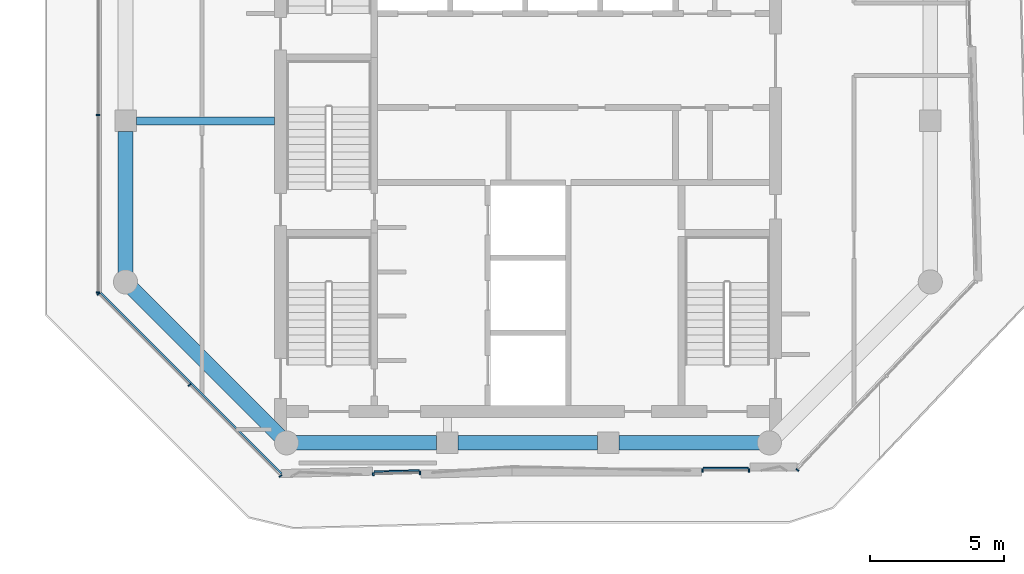
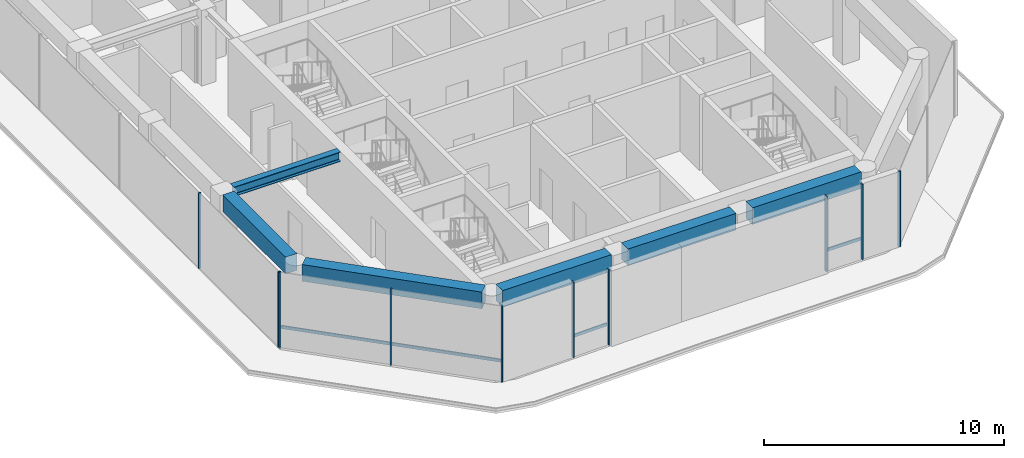
# One storey, part 2 of 20: 13 members, 6 beams, 5 elements without a shape of their own.
"""IFC4 building model written with IfcOpenShell, lengths in metres."""

from ifc_helpers import new_model, si_unit, direction, frame, origin, origin_2d, place, context, subcontext, project, spatial, rectangle, i_section, extrude, material, layer, layer_set, material_profile, profile_set, type_object, element, aggregate, save


model = new_model("IFC4")

# Units and contexts
model_context = context("Model", 3, precision=1e-05, world=origin(), true_north=direction((0.0, 1.0)))
body_context = subcontext(model_context, "Body", "Model", "MODEL_VIEW")
ifc_project = project(units=[si_unit("LENGTHUNIT", "METRE"), si_unit("AREAUNIT", "SQUARE_METRE"), si_unit("VOLUMEUNIT", "CUBIC_METRE"), si_unit("PLANEANGLEUNIT", "RADIAN"), si_unit("MASSUNIT", "GRAM", prefix="KILO")], contexts=[model_context])

# Site, building, storey
site_placement = place(None, origin())
site = spatial("IfcSite", under=ifc_project, at=site_placement, CompositionType="ELEMENT")
building_placement = place(site_placement, origin())
building = spatial("IfcBuilding", under=site, at=building_placement, Name="Welwitschia Terrace Campus", CompositionType="ELEMENT")
storey_placement = place(building_placement, frame((0.0, 0.0, 222.199951171875)))
storey = spatial("IfcBuildingStorey", under=building, at=storey_placement, Name="L49", CompositionType="ELEMENT", Elevation=222.199951171875)

# Curtain wall, members
ifc_material_1 = material(Name="Bronze anodised aluminium", Category="aluminium")
ifc_layer = layer(ifc_material_1, 0.1201171875)
ifc_layer_set = layer_set([ifc_layer], Name="Bronze anodised aluminium")
curtain_wall_type = type_object("IfcCurtainWallType", Name="Curtain wall CW2 tower 6000", PredefinedType="NOTDEFINED", material=ifc_layer_set)
curtain_wall_1_placement = place(storey_placement, origin())
curtain_wall_1 = element("IfcCurtainWall", 1, at=curtain_wall_1_placement, inside=storey, type_object=curtain_wall_type, Name="CW L49.0.0", PredefinedType="NOTDEFINED")
ifc_material_2 = material(Name="Bronze anodised aluminium", Category="aluminium")
ifc_material_profile_1 = material_profile(ifc_material_2, rectangle(XDim=0.1201171875, YDim=0.06005859375, at=origin_2d()))
ifc_profile_set_1 = profile_set([ifc_material_profile_1], Name="Bronze anodised aluminium")
member_type_1 = type_object("IfcMemberType", Name="Mullion 60x120", PredefinedType="MULLION", material=ifc_profile_set_1)
member_1_placement = place(storey_placement, frame((-1.030029296875, 16.22802734375, 0.0), z_axis=(0.0, 0.0, 1.0), x_axis=(1.0, 0.0, 0.0)))
member_1 = element("IfcMember", 2, at=member_1_placement, type_object=member_type_1, Name="Mullion L49.0.0.3", PredefinedType="MULLION", context=body_context, shape_type="SweptSolid", body=[
    extrude(rectangle(XDim=0.1201171875, YDim=0.06005859375, at=origin_2d()), origin(), (0.0, 0.0, 1.0), 3.85009765625),
])
member_2_placement = place(storey_placement, frame((-1.030029296875, 9.603271484375, 0.0), z_axis=(0.0, 0.0, 1.0), x_axis=(1.0, 0.0, 0.0)))
member_2 = element("IfcMember", 3, at=member_2_placement, type_object=member_type_1, Name="Mullion L49.0.0.4", PredefinedType="MULLION", context=body_context, shape_type="SweptSolid", body=[
    extrude(rectangle(XDim=0.1201171875, YDim=0.06005859375, at=origin_2d()), origin(), (0.0, 0.0, 1.0), 3.85009765625),
])
aggregate(curtain_wall_1, [member_1, member_2])

curtain_wall_2_placement = place(storey_placement, origin())
curtain_wall_2 = element("IfcCurtainWall", 4, at=curtain_wall_2_placement, inside=storey, type_object=curtain_wall_type, Name="CW L49.1.0", PredefinedType="NOTDEFINED")
member_3_placement = place(storey_placement, frame((-1.0087890625, 9.55224609375, 0.0), z_axis=(0.0, 0.0, 1.0), x_axis=(0.707106781187, 0.707106781187, 0.0)))
member_3 = element("IfcMember", 5, at=member_3_placement, type_object=member_type_1, Name="Mullion L49.1.0.0", PredefinedType="MULLION", context=body_context, shape_type="SweptSolid", body=[
    extrude(rectangle(XDim=0.1201171875, YDim=0.06005859375, at=origin_2d()), origin(), (0.0, 0.0, 1.0), 3.85009765625),
])
member_4_placement = place(storey_placement, frame((2.384521484375, 6.158935546875, 0.0), z_axis=(0.0, 0.0, 1.0), x_axis=(0.707106781187, 0.707106781187, 0.0)))
member_4 = element("IfcMember", 6, at=member_4_placement, type_object=member_type_1, Name="Mullion L49.1.0.1", PredefinedType="MULLION", context=body_context, shape_type="SweptSolid", body=[
    extrude(rectangle(XDim=0.1201171875, YDim=0.06005859375, at=origin_2d()), origin(), (0.0, 0.0, 1.0), 3.85009765625),
])
member_5_placement = place(storey_placement, frame((5.777587890625, 2.765625, 0.0), z_axis=(0.0, 0.0, 1.0), x_axis=(0.707106781187, 0.707106781187, 0.0)))
member_5 = element("IfcMember", 7, at=member_5_placement, type_object=member_type_1, Name="Mullion L49.1.0.2", PredefinedType="MULLION", context=body_context, shape_type="SweptSolid", body=[
    extrude(rectangle(XDim=0.1201171875, YDim=0.06005859375, at=origin_2d()), origin(), (0.0, 0.0, 1.0), 3.85009765625),
])

curtain_wall_3_placement = place(storey_placement, origin())
curtain_wall_3 = element("IfcCurtainWall", 8, at=curtain_wall_3_placement, inside=storey, type_object=curtain_wall_type, Name="CW L49.2.S0", PredefinedType="NOTDEFINED")
member_6_placement = place(storey_placement, frame((9.23486328125, 2.83447265625, 0.0), z_axis=(0.0, 0.0, 1.0), x_axis=(-0.026176948308, 0.999657324976, 0.0)))
member_6 = element("IfcMember", 9, at=member_6_placement, type_object=member_type_1, Name="Mullion L49.2.S0.0", PredefinedType="MULLION", context=body_context, shape_type="SweptSolid", body=[
    extrude(rectangle(XDim=0.1201171875, YDim=0.06005859375, at=origin_2d()), origin(), (0.0, 0.0, 1.0), 3.85009765625),
])
member_7_placement = place(storey_placement, frame((10.974365234375, 2.880126953125, 0.0), z_axis=(0.0, 0.0, 1.0), x_axis=(-0.026176948308, 0.999657324976, 0.0)))
member_7 = element("IfcMember", 10, at=member_7_placement, type_object=member_type_1, Name="Mullion L49.2.S0.1", PredefinedType="MULLION", context=body_context, shape_type="SweptSolid", body=[
    extrude(rectangle(XDim=0.1201171875, YDim=0.06005859375, at=origin_2d()), origin(), (0.0, 0.0, 1.0), 3.85009765625),
])

curtain_wall_4_placement = place(storey_placement, origin())
curtain_wall_4 = element("IfcCurtainWall", 11, at=curtain_wall_4_placement, inside=storey, type_object=curtain_wall_type, Name="CW L49.3.S0", PredefinedType="NOTDEFINED")
member_8_placement = place(storey_placement, frame((21.503173828125, 2.969970703125, 0.0), z_axis=(0.0, 0.0, 1.0), x_axis=(0.0, 1.0, 0.0)))
member_8 = element("IfcMember", 12, at=member_8_placement, type_object=member_type_1, Name="Mullion L49.3.S0.0", PredefinedType="MULLION", context=body_context, shape_type="SweptSolid", body=[
    extrude(rectangle(XDim=0.1201171875, YDim=0.06005859375, at=origin_2d()), origin(), (0.0, 0.0, 1.0), 3.85009765625),
])
member_9_placement = place(storey_placement, frame((23.2431640625, 2.969970703125, 0.0), z_axis=(0.0, 0.0, 1.0), x_axis=(0.0, 1.0, 0.0)))
member_9 = element("IfcMember", 13, at=member_9_placement, type_object=member_type_1, Name="Mullion L49.3.S0.1", PredefinedType="MULLION", context=body_context, shape_type="SweptSolid", body=[
    extrude(rectangle(XDim=0.1201171875, YDim=0.06005859375, at=origin_2d()), origin(), (0.0, 0.0, 1.0), 3.85009765625),
])

# Curtain wall, member
curtain_wall_5_placement = place(storey_placement, origin())
curtain_wall_5 = element("IfcCurtainWall", 14, at=curtain_wall_5_placement, inside=storey, type_object=curtain_wall_type, Name="CW L49.4.0", PredefinedType="NOTDEFINED")
member_10_placement = place(storey_placement, frame((25.0478515625, 2.99169921875, 0.0), z_axis=(0.0, 0.0, 1.0), x_axis=(-0.725374371012, 0.688354575694, 0.0)))
member_10 = element("IfcMember", 15, at=member_10_placement, type_object=member_type_1, Name="Mullion L49.4.0.0", PredefinedType="MULLION", context=body_context, shape_type="SweptSolid", body=[
    extrude(rectangle(XDim=0.1201171875, YDim=0.06005859375, at=origin_2d()), origin(), (0.0, 0.0, 1.0), 3.85009765625),
])
aggregate(curtain_wall_5, [member_10])

# Beams
ifc_material_3 = material(Name="Steel S355", Category="steel")
ifc_material_profile_2 = material_profile(ifc_material_3, i_section(OverallWidth=0.300048828125, OverallDepth=0.489990234375, WebThickness=0.011962890625, FlangeThickness=0.02294921875, FilletRadius=0.027099609375, at=origin_2d()))
ifc_profile_set_2 = profile_set([ifc_material_profile_2], Name="Steel S355")
beam_type_1 = type_object("IfcBeamType", Name="Primary beam HE 500 A", PredefinedType="BEAM", material=ifc_profile_set_2)
beam_1_placement = place(storey_placement, frame((0.400390625, 16.0, 3.60498046875), z_axis=(1.0, 0.0, 0.0), x_axis=(0.0, 1.0, 0.0)))
element("IfcBeam", 16, at=beam_1_placement, inside=storey, type_object=beam_type_1, Name="Primary beam PB5", PredefinedType="BEAM", context=body_context, shape_type="SweptSolid", body=[
    extrude(i_section(OverallWidth=0.300048828125, OverallDepth=0.489990234375, WebThickness=0.011962890625, FlangeThickness=0.02294921875, FilletRadius=0.027099609375, at=origin_2d()), origin(), (0.0, 0.0, 1.0), 5.149658203125),
])
ifc_material_4 = material(Name="Concrete C50/60", Category="concrete")
ifc_material_profile_3 = material_profile(ifc_material_4, rectangle(XDim=0.550048828125, YDim=0.85009765625, at=origin_2d()))
ifc_profile_set_3 = profile_set([ifc_material_profile_3], Name="Concrete C50/60")
beam_type_2 = type_object("IfcBeamType", Name="Ring spandrel 550x850", PredefinedType="SPANDREL", material=ifc_profile_set_3)
beam_2_placement = place(storey_placement, frame((0.25244140625, 9.74755859375, 3.425048828125), z_axis=(0.707106781187, -0.707106781187, 0.0), x_axis=(0.707106781187, 0.707106781187, 0.0)))
element("IfcBeam", 17, at=beam_2_placement, inside=storey, type_object=beam_type_2, Name="Spandrel SP3", PredefinedType="SPANDREL", context=body_context, shape_type="SweptSolid", body=[
    extrude(rectangle(XDim=0.550048828125, YDim=0.85009765625, at=origin_2d()), origin(), (0.0, 0.0, 1.0), 7.771240234375),
])
beam_3_placement = place(storey_placement, frame((6.35693359375, 4.0, 3.425048828125), z_axis=(1.0, 0.0, 0.0), x_axis=(0.0, 1.0, 0.0)))
element("IfcBeam", 18, at=beam_3_placement, inside=storey, type_object=beam_type_2, Name="Spandrel SP3", PredefinedType="SPANDREL", context=body_context, shape_type="SweptSolid", body=[
    extrude(rectangle(XDim=0.550048828125, YDim=0.85009765625, at=origin_2d()), origin(), (0.0, 0.0, 1.0), 5.24267578125),
])
beam_4_placement = place(storey_placement, frame((12.400390625, 4.0, 3.425048828125), z_axis=(1.0, 0.0, 0.0), x_axis=(0.0, 1.0, 0.0)))
element("IfcBeam", 19, at=beam_4_placement, inside=storey, type_object=beam_type_2, Name="Spandrel SP3", PredefinedType="SPANDREL", context=body_context, shape_type="SweptSolid", body=[
    extrude(rectangle(XDim=0.550048828125, YDim=0.85009765625, at=origin_2d()), origin(), (0.0, 0.0, 1.0), 5.19921875),
])
for number, where, z_axis, x_axis, name in (
    (20, (18.400390625, 4.0, 3.425048828125), (1.0, 0.0, 0.0), (0.0, 1.0, 0.0), "Spandrel SP3"),
    (21, (0.0, 15.599609375, 3.425048828125), (0.0, -1.0, 0.0), (1.0, 0.0, 0.0), "Spandrel SP3"),
):
    element("IfcBeam", number, at=place(storey_placement, frame(where, z_axis=z_axis, x_axis=x_axis)), inside=storey, type_object=beam_type_2, Name=name, PredefinedType="SPANDREL", context=body_context, shape_type="SweptSolid", body=[
        extrude(rectangle(XDim=0.550048828125, YDim=0.85009765625, at=origin_2d()), origin(), (0.0, 0.0, 1.0), 5.24267578125),
    ])

# Member
ifc_material_5 = material(Name="Bronze anodised aluminium", Category="aluminium")
ifc_material_profile_4 = material_profile(ifc_material_5, rectangle(XDim=0.06005859375, YDim=0.14990234375, at=origin_2d()))
ifc_profile_set_4 = profile_set([ifc_material_profile_4], Name="Bronze anodised aluminium")
member_type_2 = type_object("IfcMemberType", Name="Transom 60x150", PredefinedType="USERDEFINED", material=ifc_profile_set_4)
member_11_placement = place(storey_placement, frame((-0.923828125, 9.594482421875, 1.0), z_axis=(0.707106781187, -0.707106781187, 0.0), x_axis=(0.707106781187, 0.707106781187, 0.0)))
member_11 = element("IfcMember", 22, at=member_11_placement, type_object=member_type_2, Name="Transom L49.1.0", ObjectType="TRANSOM", PredefinedType="USERDEFINED", context=body_context, shape_type="SweptSolid", body=[
    extrude(rectangle(XDim=0.06005859375, YDim=0.14990234375, at=origin_2d()), origin(), (0.0, 0.0, 1.0), 9.537353515625),
])

aggregate(curtain_wall_2, [member_3, member_4, member_5, member_11])

member_12_placement = place(storey_placement, frame((9.2626953125, 2.92529296875, 1.0), z_axis=(0.99965783038, 0.026157640568, 0.0), x_axis=(-0.026157640568, 0.99965783038, 0.0)))
member_12 = element("IfcMember", 23, at=member_12_placement, type_object=member_type_2, Name="Transom L49.2.S0", ObjectType="TRANSOM", PredefinedType="USERDEFINED", context=body_context, shape_type="SweptSolid", body=[
    extrude(rectangle(XDim=0.06005859375, YDim=0.14990234375, at=origin_2d()), origin(), (0.0, 0.0, 1.0), 1.679931640625),
])

aggregate(curtain_wall_3, [member_6, member_7, member_12])

member_13_placement = place(storey_placement, frame((21.533203125, 3.06005859375, 1.0), z_axis=(1.0, 0.0, 0.0), x_axis=(0.0, 1.0, 0.0)))
member_13 = element("IfcMember", 24, at=member_13_placement, type_object=member_type_2, Name="Transom L49.3.S0", ObjectType="TRANSOM", PredefinedType="USERDEFINED", context=body_context, shape_type="SweptSolid", body=[
    extrude(rectangle(XDim=0.06005859375, YDim=0.14990234375, at=origin_2d()), origin(), (0.0, 0.0, 1.0), 1.679931640625),
])

aggregate(curtain_wall_4, [member_8, member_9, member_13])

save(model, "model.ifc")
